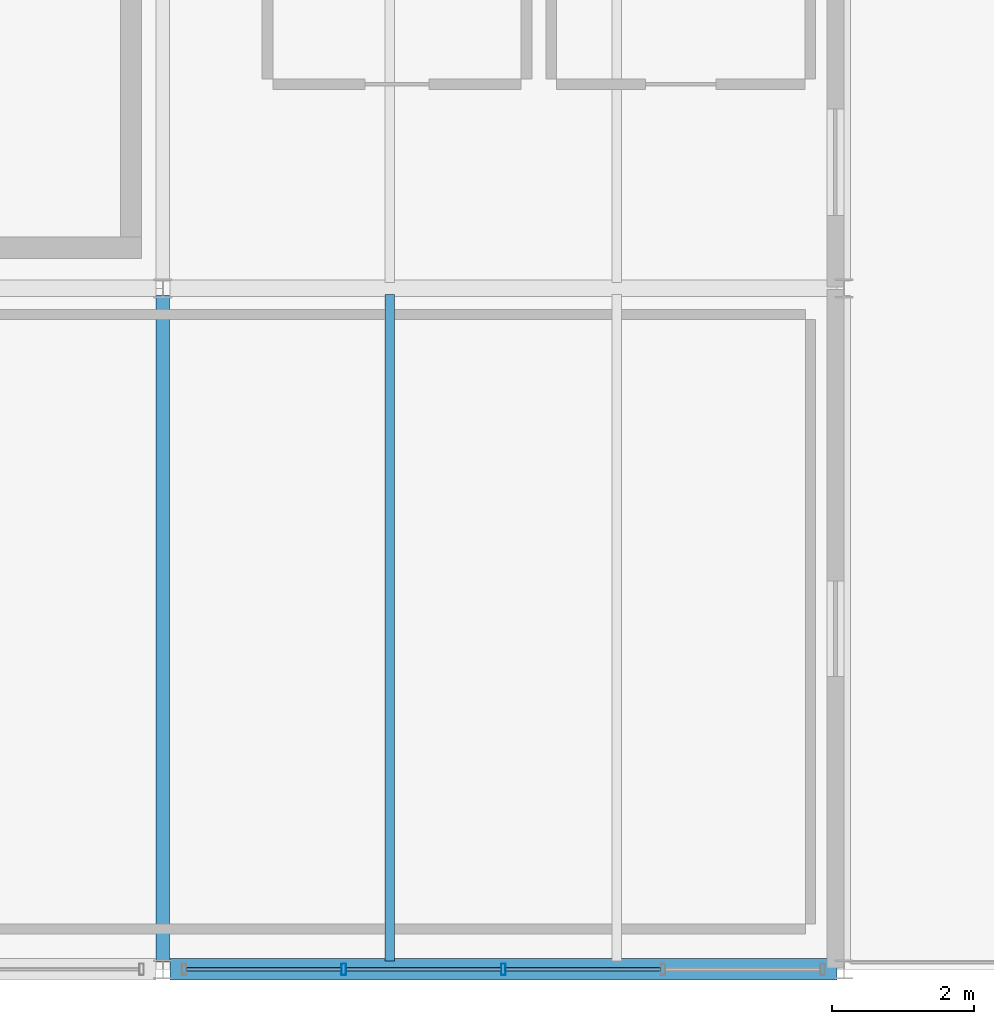
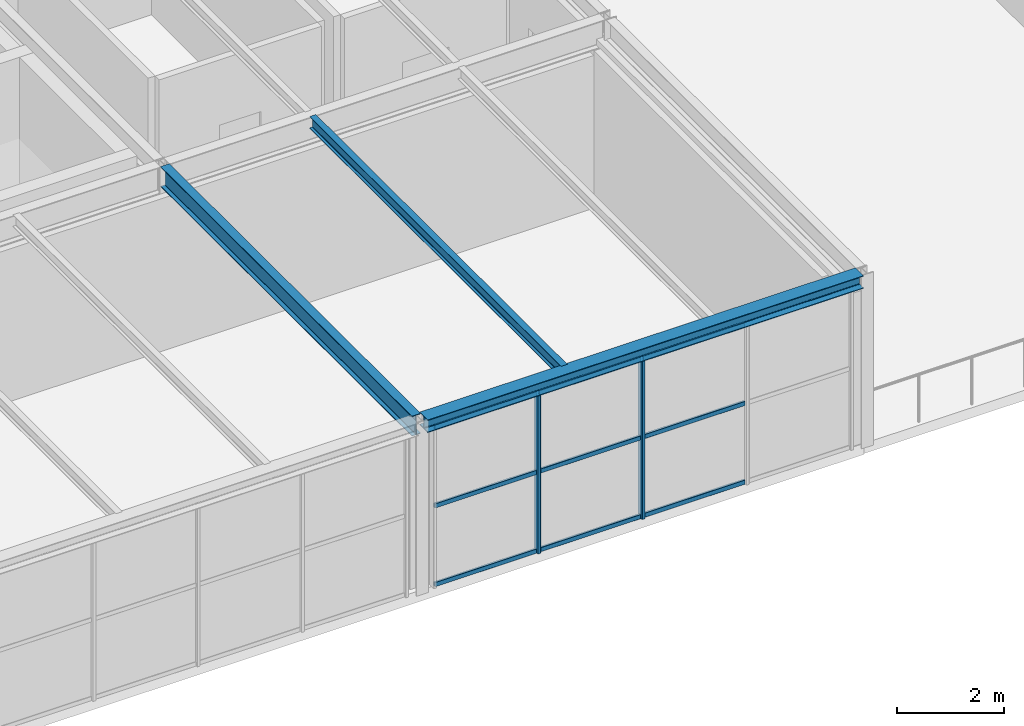
# One storey, part 23 of 39: 11 members, 3 beams, 1 element without a shape of its own.
"""IFC4 building model written with IfcOpenShell, lengths in metres."""

import ifcopenshell
import ifcopenshell.guid

model = None  # the IFC model being written
_history = None  # IfcOwnerHistory: only IFC2X3 demands one
_inside = {}  # id of a spatial element -> (the spatial element, [elements in it])
_under = {}  # id of a project, library or spatial element -> (it, [spatial elements below it])
_declared = {}  # id of a project -> (the project, [libraries it declares])
_typed = {}  # id of a type object -> (the type object, [elements of that type])
_made_of = {}  # id of a material, layer set ... -> (it, [elements and type objects made of it])


def new_model(schema):
    """Start an empty IFC model of exactly this schema.

    Asked for "IFC4X3", IfcOpenShell would pick the latest addendum, in which some entities
    have other attributes; the version numbers below select the first issue.
    IFC2X3 requires an IfcOwnerHistory on every rooted entity: one is made here for all.
    """
    global model, _history
    if schema == "IFC4X3":
        model = ifcopenshell.file(schema_version=(4, 3, 0, 0))
    else:
        model = ifcopenshell.file(schema=schema)
    _inside.clear()
    _under.clear()
    _declared.clear()
    _typed.clear()
    _made_of.clear()
    _history = None
    if model.schema == "IFC2X3":
        org = make("IfcOrganization", Name="unknown")
        user = make(
            "IfcPersonAndOrganization",
            ThePerson=make("IfcPerson", FamilyName="unknown"),
            TheOrganization=org,
        )
        app = make(
            "IfcApplication",
            ApplicationDeveloper=org,
            Version="unknown",
            ApplicationFullName="unknown",
            ApplicationIdentifier="unknown",
        )
        _history = make(
            "IfcOwnerHistory",
            OwningUser=user,
            OwningApplication=app,
            ChangeAction="ADDED",
            CreationDate=0,
        )
    return model


def make(cls, **values):
    """One entity of the class cls with the attributes given. An attribute that is None is left unset."""
    return model.create_entity(
        cls, **{name: value for name, value in values.items() if value is not None}
    )


def rooted(cls, **values):
    """An entity with a GlobalId (a new one), such as an element, a storey or a relation."""
    return make(cls, GlobalId=ifcopenshell.guid.new(), OwnerHistory=_history, **values)


def si_unit(unit_type, name, prefix=None):
    """IfcSIUnit, for example si_unit("LENGTHUNIT", "METRE", prefix="MILLI")."""
    return make("IfcSIUnit", UnitType=unit_type, Prefix=prefix, Name=name)


def assignment(units):
    """IfcUnitAssignment: the units of a project."""
    return None if units is None else make("IfcUnitAssignment", Units=units)


def point(xyz):
    """IfcCartesianPoint."""
    return None if xyz is None else make("IfcCartesianPoint", Coordinates=xyz)


def direction(xyz):
    """IfcDirection."""
    return None if xyz is None else make("IfcDirection", DirectionRatios=xyz)


def frame(location, z_axis=None, x_axis=None):
    """IfcAxis2Placement3D, a coordinate frame: its origin and axes. An axis left out is left unset."""
    return make(
        "IfcAxis2Placement3D",
        Location=point(location),
        Axis=direction(z_axis),
        RefDirection=direction(x_axis),
    )


def frame_2d(location, x_axis=None):
    """IfcAxis2Placement2D, a coordinate frame in the plane: its origin and x axis."""
    return make(
        "IfcAxis2Placement2D", Location=point(location), RefDirection=direction(x_axis)
    )


def origin():
    """The frame at (0, 0, 0) with its axes left unset."""
    return frame((0.0, 0.0, 0.0))


def origin_2d():
    """The frame at (0, 0) in the plane with its x axis left unset."""
    return frame_2d((0.0, 0.0))


def place(relative_to, where):
    """IfcLocalPlacement: puts the frame where relative to a parent placement (None: the world)."""
    return make(
        "IfcLocalPlacement", PlacementRelTo=relative_to, RelativePlacement=where
    )


def context(
    kind, dimensions, precision=None, world=None, true_north=None, identifier=None
):
    """IfcGeometricRepresentationContext, for example the 3D "Model" context."""
    return make(
        "IfcGeometricRepresentationContext",
        ContextIdentifier=identifier,
        ContextType=kind,
        CoordinateSpaceDimension=dimensions,
        Precision=precision,
        WorldCoordinateSystem=world,
        TrueNorth=true_north,
    )


def subcontext(parent, identifier, kind, view, scale=None):
    """IfcGeometricRepresentationSubContext, for example "Body" below "Model"."""
    return make(
        "IfcGeometricRepresentationSubContext",
        ContextIdentifier=identifier,
        ContextType=kind,
        ParentContext=parent,
        TargetScale=scale,
        TargetView=view,
    )


def project(units=None, contexts=None):
    """IfcProject with its units and contexts."""
    return rooted(
        "IfcProject",
        Name="project",
        RepresentationContexts=contexts,
        UnitsInContext=assignment(units),
    )


def spatial(cls, under=None, at=None, **own):
    """A site, building, storey or space (cls), placed at a placement, below another one or the project."""
    s = rooted(cls, ObjectPlacement=at, **own)
    if under is not None:
        _under.setdefault(under.id(), (under, []))[1].append(s)
    return s


def profile(cls, at=None, kind="AREA", **sizes):
    """A parametric profile (cls). Its sizes go by their IFC names, for example OverallWidth=200.0."""
    return make(cls, ProfileType=kind, Position=at, **sizes)


def hollow_rectangle(**sizes):
    """IfcRectangleHollowProfileDef."""
    return profile("IfcRectangleHollowProfileDef", **sizes)


def i_section(**sizes):
    """IfcIShapeProfileDef."""
    return profile("IfcIShapeProfileDef", **sizes)


def extrude(swept, where, along, depth):
    """IfcExtrudedAreaSolid: the profile swept, set in the frame where, extruded along a direction by depth."""
    return make(
        "IfcExtrudedAreaSolid",
        SweptArea=swept,
        Position=where,
        ExtrudedDirection=direction(along),
        Depth=depth,
    )


def shape(context_of_items, identifier, shape_type, items):
    """IfcShapeRepresentation: the items that make up one representation, for example the "Body"."""
    return make(
        "IfcShapeRepresentation",
        ContextOfItems=context_of_items,
        RepresentationIdentifier=identifier,
        RepresentationType=shape_type,
        Items=items,
    )


def material(Name=None, Category=None):
    """IfcMaterial."""
    return make("IfcMaterial", Name=Name, Category=Category)


def material_profile(
    of_material, cross_section, Name=None, Category=None, Priority=None
):
    """IfcMaterialProfile: a cross section and its material."""
    return make(
        "IfcMaterialProfile",
        Name=Name,
        Material=of_material,
        Profile=cross_section,
        Priority=Priority,
        Category=Category,
    )


def profile_set(profiles, Name=None, composite=None):
    """IfcMaterialProfileSet."""
    return make(
        "IfcMaterialProfileSet",
        Name=Name,
        MaterialProfiles=profiles,
        CompositeProfile=composite,
    )


def made_of(thing, what):
    """Note that an element or type object is made of a material, layer set ...; save() writes the relation."""
    if what is not None:
        _made_of.setdefault(what.id(), (what, []))[1].append(thing)
    return thing


def type_object(cls, material=None, **own):
    """A type object (cls), such as IfcWallType, which elements share."""
    return made_of(rooted(cls, **own), material)


def element(
    cls,
    number,
    at=None,
    inside=None,
    cuts=None,
    type_object=None,
    material=None,
    context=None,
    identifier="Body",
    shape_type=None,
    held_by="IfcProductDefinitionShape",
    body=None,
    shapes=None,
    **own,
):
    """One element of the class cls, such as IfcWall. Its Tag is "e" and its number.

    at: its placement. inside: the storey or other place that contains it. cuts: it is an
    opening in that element (IfcRelVoidsElement). A single representation is given by context,
    identifier, shape_type and body (its items); several are given by shapes. held_by: the class
    of the entity that holds the representations. save() writes the other relations.
    """
    e = rooted(cls, Tag="e%d" % number, ObjectPlacement=at, **own)
    if body is not None:
        shapes = [shape(context, identifier, shape_type, body)]
    if shapes is not None:
        e.Representation = make(held_by, Representations=shapes)
    if inside is not None:
        _inside.setdefault(inside.id(), (inside, []))[1].append(e)
    if cuts is not None:
        rooted(
            "IfcRelVoidsElement", RelatingBuildingElement=cuts, RelatedOpeningElement=e
        )
    if type_object is not None:
        _typed.setdefault(type_object.id(), (type_object, []))[1].append(e)
    return made_of(e, material)


def aggregate(whole, parts):
    """IfcRelAggregates: a whole, such as a stair, and the parts it consists of."""
    return rooted("IfcRelAggregates", RelatingObject=whole, RelatedObjects=parts)


def save(model, path):
    """Write the relations noted so far, then the file.

    IfcRelAggregates (storeys below a building ...), IfcRelContainedInSpatialStructure (elements
    in a storey), IfcRelDefinesByType, IfcRelAssociatesMaterial and IfcRelDeclares: one each for
    every whole, place, type object, material and project.
    """
    for whole, parts in _under.values():
        aggregate(whole, parts)
    for where, things in _inside.values():
        rooted(
            "IfcRelContainedInSpatialStructure",
            RelatedElements=things,
            RelatingStructure=where,
        )
    for kind, things in _typed.values():
        rooted("IfcRelDefinesByType", RelatedObjects=things, RelatingType=kind)
    for what, things in _made_of.values():
        rooted("IfcRelAssociatesMaterial", RelatedObjects=things, RelatingMaterial=what)
    for by, libraries in _declared.values():
        rooted("IfcRelDeclares", RelatingContext=by, RelatedDefinitions=libraries)
    model.write(path)


model = new_model("IFC4")

# Units and contexts
model_context = context("Model", 3, precision=1e-05, world=origin(), true_north=direction((0.0, 1.0)))
body_context = subcontext(model_context, "Body", "Model", "MODEL_VIEW")
ifc_project = project(units=[si_unit("LENGTHUNIT", "METRE"), si_unit("AREAUNIT", "SQUARE_METRE"), si_unit("VOLUMEUNIT", "CUBIC_METRE"), si_unit("PLANEANGLEUNIT", "RADIAN"), si_unit("MASSUNIT", "GRAM", prefix="KILO")], contexts=[model_context])

# Site, building, storey
site_placement = place(None, origin())
site = spatial("IfcSite", under=ifc_project, at=site_placement, CompositionType="ELEMENT")
building_placement = place(site_placement, origin())
building = spatial("IfcBuilding", under=site, at=building_placement, Name="Coralgate Yard Interchange", CompositionType="ELEMENT")
storey_placement = place(building_placement, frame((0.0, 0.0, 18.89990234375)))
storey = spatial("IfcBuildingStorey", under=building, at=storey_placement, Name="L04", CompositionType="ELEMENT", Elevation=18.89990234375)

# Beams
ifc_material_1 = material(Name="Structural steel S355J2", Category="steel")
ifc_material_profile_1 = material_profile(ifc_material_1, i_section(OverallWidth=0.1904296875, OverallDepth=0.45703125, WebThickness=0.009033203125, FlangeThickness=0.014404296875, FilletRadius=0.01025390625, at=origin_2d()), Name="UB 457x191x74")
ifc_profile_set_1 = profile_set([ifc_material_profile_1], Name="Structural steel S355J2")
beam_type_1 = type_object("IfcBeamType", Name="BM-SB-2", PredefinedType="BEAM", material=ifc_profile_set_1)
beam_1_placement = place(storey_placement, frame((57.60009765625, 0.103271484375, 3.7216796875), z_axis=(0.0, 1.0, 0.0), x_axis=(-1.0, 0.0, 0.0)))
element("IfcBeam", 1, at=beam_1_placement, inside=storey, type_object=beam_type_1, Name="L04 primary grid girder X6 Y0-1", PredefinedType="BEAM", context=body_context, shape_type="SweptSolid", body=[
    extrude(i_section(OverallWidth=0.1904296875, OverallDepth=0.45703125, WebThickness=0.009033203125, FlangeThickness=0.014404296875, FilletRadius=0.01025390625, at=origin_2d()), origin(), (0.0, 0.0, 1.0), 9.393310546875),
])
ifc_material_profile_2 = material_profile(ifc_material_1, i_section(OverallWidth=0.135009765625, OverallDepth=0.27001953125, WebThickness=0.006591796875, FlangeThickness=0.01025390625, FilletRadius=0.014892578125, at=origin_2d()), Name="IPE 270")
ifc_profile_set_2 = profile_set([ifc_material_profile_2], Name="Structural steel S355J2")
beam_type_2 = type_object("IfcBeamType", Name="BM-SJ-3", PredefinedType="JOIST", material=ifc_profile_set_2)
beam_2_placement = place(storey_placement, frame((60.800048828125, 0.1201171875, 3.815185546875), z_axis=(0.0, 1.0, 0.0), x_axis=(-1.0, 0.0, 0.0)))
element("IfcBeam", 2, at=beam_2_placement, inside=storey, type_object=beam_type_2, Name="L04 composite floor joist 6-0-1", PredefinedType="JOIST", context=body_context, shape_type="SweptSolid", body=[
    extrude(i_section(OverallWidth=0.135009765625, OverallDepth=0.27001953125, WebThickness=0.006591796875, FlangeThickness=0.01025390625, FilletRadius=0.014892578125, at=origin_2d()), origin(), (0.0, 0.0, 1.0), 9.395751953125),
])
ifc_material_profile_3 = material_profile(ifc_material_1, i_section(OverallWidth=0.300048828125, OverallDepth=0.2900390625, WebThickness=0.008544921875, FlangeThickness=0.013916015625, FilletRadius=0.027099609375, at=origin_2d()), Name="HEA 300")
ifc_profile_set_3 = profile_set([ifc_material_profile_3], Name="Structural steel S355J2")
beam_type_3 = type_object("IfcBeamType", Name="BM-SP-2", PredefinedType="SPANDREL", material=ifc_profile_set_3)
beam_3_placement = place(storey_placement, frame((57.699462890625, 0.0, 3.80517578125), z_axis=(1.0, 0.0, 0.0), x_axis=(0.0, 1.0, 0.0)))
element("IfcBeam", 3, at=beam_3_placement, inside=storey, type_object=beam_type_3, Name="L04 primary grid beam Y0 X6-7", PredefinedType="SPANDREL", context=body_context, shape_type="SweptSolid", body=[
    extrude(i_section(OverallWidth=0.300048828125, OverallDepth=0.2900390625, WebThickness=0.008544921875, FlangeThickness=0.013916015625, FilletRadius=0.027099609375, at=origin_2d()), origin(), (0.0, 0.0, 1.0), 9.401123046875),
])

# Curtain wall, members
ifc_material_2 = material(Name="Anodised coastal aluminium and solar-control low-E glass", Category="aluminium")
curtain_wall_type = type_object("IfcCurtainWallType", Name="CW-CW-L04-A", PredefinedType="NOTDEFINED", material=ifc_material_2)
curtain_wall_placement = place(storey_placement, origin())
curtain_wall = element("IfcCurtainWall", 4, at=curtain_wall_placement, inside=storey, type_object=curtain_wall_type, Name="L04 unitised curtain wall CW-L04-S-06-00", PredefinedType="NOTDEFINED")
ifc_material_3 = material(Name="Anodised coastal aluminium 6063-T6", Category="aluminium")
ifc_material_profile_4 = material_profile(ifc_material_3, hollow_rectangle(XDim=0.06494140625, YDim=0.159912109375, WallThickness=0.00390625, InnerFilletRadius=0.00390625, OuterFilletRadius=0.008056640625, at=origin_2d()), Name="ALU 65x160x4")
ifc_profile_set_4 = profile_set([ifc_material_profile_4], Name="Anodised coastal aluminium 6063-T6")
member_type_1 = type_object("IfcMemberType", Name="MB-MUL-160", PredefinedType="MULLION", material=ifc_profile_set_4)
member_1_placement = place(storey_placement, frame((62.39990234375, 0.0, 0.0), z_axis=(0.0, 0.0, 1.0), x_axis=(1.0, 0.0, 0.0)))
member_1 = element("IfcMember", 5, at=member_1_placement, type_object=member_type_1, Name="CW-L04-S-06-00 vertical mullion 3", PredefinedType="MULLION", context=body_context, shape_type="SweptSolid", body=[
    extrude(hollow_rectangle(XDim=0.06494140625, YDim=0.159912109375, WallThickness=0.00390625, InnerFilletRadius=0.00390625, OuterFilletRadius=0.008056640625, at=origin_2d()), origin(), (0.0, 0.0, 1.0), 3.66015625),
])
member_2_placement = place(storey_placement, frame((60.14990234375, 0.0, 0.0), z_axis=(0.0, 0.0, 1.0), x_axis=(1.0, 0.0, 0.0)))
member_2 = element("IfcMember", 6, at=member_2_placement, type_object=member_type_1, Name="CW-L04-S-06-00 vertical mullion 4", PredefinedType="MULLION", context=body_context, shape_type="SweptSolid", body=[
    extrude(hollow_rectangle(XDim=0.06494140625, YDim=0.159912109375, WallThickness=0.00390625, InnerFilletRadius=0.00390625, OuterFilletRadius=0.008056640625, at=origin_2d()), origin(), (0.0, 0.0, 1.0), 3.66015625),
])
ifc_material_profile_5 = material_profile(ifc_material_3, hollow_rectangle(XDim=0.050048828125, YDim=0.10009765625, WallThickness=0.0029296875, InnerFilletRadius=0.0029296875, OuterFilletRadius=0.006103515625, at=origin_2d()), Name="ALU 50x100x3")
ifc_profile_set_5 = profile_set([ifc_material_profile_5], Name="Anodised coastal aluminium 6063-T6")
member_type_2 = type_object("IfcMemberType", Name="MB-TRN-100", PredefinedType="USERDEFINED", material=ifc_profile_set_5)
member_3_placement = place(storey_placement, frame((64.6201171875, 0.0, 0.03515625), z_axis=(-1.0, 0.0, 0.0), x_axis=(0.0, -1.0, 0.0)))
member_3 = element("IfcMember", 7, at=member_3_placement, type_object=member_type_2, Name="CW-L04-S-06-00 horizontal transom 2-1", ObjectType="TRANSOM", PredefinedType="USERDEFINED", context=body_context, shape_type="SweptSolid", body=[
    extrude(hollow_rectangle(XDim=0.050048828125, YDim=0.10009765625, WallThickness=0.0029296875, InnerFilletRadius=0.0029296875, OuterFilletRadius=0.006103515625, at=origin_2d()), origin(), (0.0, 0.0, 1.0), 2.190185546875),
])
member_4_placement = place(storey_placement, frame((64.6201171875, 0.0, 1.830078125), z_axis=(-1.0, 0.0, 0.0), x_axis=(0.0, -1.0, 0.0)))
member_4 = element("IfcMember", 8, at=member_4_placement, type_object=member_type_2, Name="CW-L04-S-06-00 horizontal transom 2-2", ObjectType="TRANSOM", PredefinedType="USERDEFINED", context=body_context, shape_type="SweptSolid", body=[
    extrude(hollow_rectangle(XDim=0.050048828125, YDim=0.10009765625, WallThickness=0.0029296875, InnerFilletRadius=0.0029296875, OuterFilletRadius=0.006103515625, at=origin_2d()), origin(), (0.0, 0.0, 1.0), 2.190185546875),
])
member_5_placement = place(storey_placement, frame((64.6201171875, 0.0, 3.625), z_axis=(-1.0, 0.0, 0.0), x_axis=(0.0, -1.0, 0.0)))
member_5 = element("IfcMember", 9, at=member_5_placement, type_object=member_type_2, Name="CW-L04-S-06-00 horizontal transom 2-3", ObjectType="TRANSOM", PredefinedType="USERDEFINED", context=body_context, shape_type="SweptSolid", body=[
    extrude(hollow_rectangle(XDim=0.050048828125, YDim=0.10009765625, WallThickness=0.0029296875, InnerFilletRadius=0.0029296875, OuterFilletRadius=0.006103515625, at=origin_2d()), origin(), (0.0, 0.0, 1.0), 2.190185546875),
])
member_6_placement = place(storey_placement, frame((62.3701171875, 0.0, 0.03515625), z_axis=(-1.0, 0.0, 0.0), x_axis=(0.0, -1.0, 0.0)))
member_6 = element("IfcMember", 10, at=member_6_placement, type_object=member_type_2, Name="CW-L04-S-06-00 horizontal transom 3-1", ObjectType="TRANSOM", PredefinedType="USERDEFINED", context=body_context, shape_type="SweptSolid", body=[
    extrude(hollow_rectangle(XDim=0.050048828125, YDim=0.10009765625, WallThickness=0.0029296875, InnerFilletRadius=0.0029296875, OuterFilletRadius=0.006103515625, at=origin_2d()), origin(), (0.0, 0.0, 1.0), 2.190185546875),
])
member_7_placement = place(storey_placement, frame((62.3701171875, 0.0, 1.830078125), z_axis=(-1.0, 0.0, 0.0), x_axis=(0.0, -1.0, 0.0)))
member_7 = element("IfcMember", 11, at=member_7_placement, type_object=member_type_2, Name="CW-L04-S-06-00 horizontal transom 3-2", ObjectType="TRANSOM", PredefinedType="USERDEFINED", context=body_context, shape_type="SweptSolid", body=[
    extrude(hollow_rectangle(XDim=0.050048828125, YDim=0.10009765625, WallThickness=0.0029296875, InnerFilletRadius=0.0029296875, OuterFilletRadius=0.006103515625, at=origin_2d()), origin(), (0.0, 0.0, 1.0), 2.190185546875),
])
member_8_placement = place(storey_placement, frame((62.3701171875, 0.0, 3.625), z_axis=(-1.0, 0.0, 0.0), x_axis=(0.0, -1.0, 0.0)))
member_8 = element("IfcMember", 12, at=member_8_placement, type_object=member_type_2, Name="CW-L04-S-06-00 horizontal transom 3-3", ObjectType="TRANSOM", PredefinedType="USERDEFINED", context=body_context, shape_type="SweptSolid", body=[
    extrude(hollow_rectangle(XDim=0.050048828125, YDim=0.10009765625, WallThickness=0.0029296875, InnerFilletRadius=0.0029296875, OuterFilletRadius=0.006103515625, at=origin_2d()), origin(), (0.0, 0.0, 1.0), 2.190185546875),
])
member_9_placement = place(storey_placement, frame((60.1201171875, 0.0, 0.03515625), z_axis=(-1.0, 0.0, 0.0), x_axis=(0.0, -1.0, 0.0)))
member_9 = element("IfcMember", 13, at=member_9_placement, type_object=member_type_2, Name="CW-L04-S-06-00 horizontal transom 4-1", ObjectType="TRANSOM", PredefinedType="USERDEFINED", context=body_context, shape_type="SweptSolid", body=[
    extrude(hollow_rectangle(XDim=0.050048828125, YDim=0.10009765625, WallThickness=0.0029296875, InnerFilletRadius=0.0029296875, OuterFilletRadius=0.006103515625, at=origin_2d()), origin(), (0.0, 0.0, 1.0), 2.190185546875),
])
member_10_placement = place(storey_placement, frame((60.1201171875, 0.0, 1.830078125), z_axis=(-1.0, 0.0, 0.0), x_axis=(0.0, -1.0, 0.0)))
member_10 = element("IfcMember", 14, at=member_10_placement, type_object=member_type_2, Name="CW-L04-S-06-00 horizontal transom 4-2", ObjectType="TRANSOM", PredefinedType="USERDEFINED", context=body_context, shape_type="SweptSolid", body=[
    extrude(hollow_rectangle(XDim=0.050048828125, YDim=0.10009765625, WallThickness=0.0029296875, InnerFilletRadius=0.0029296875, OuterFilletRadius=0.006103515625, at=origin_2d()), origin(), (0.0, 0.0, 1.0), 2.190185546875),
])
member_11_placement = place(storey_placement, frame((60.1201171875, 0.0, 3.625), z_axis=(-1.0, 0.0, 0.0), x_axis=(0.0, -1.0, 0.0)))
member_11 = element("IfcMember", 15, at=member_11_placement, type_object=member_type_2, Name="CW-L04-S-06-00 horizontal transom 4-3", ObjectType="TRANSOM", PredefinedType="USERDEFINED", context=body_context, shape_type="SweptSolid", body=[
    extrude(hollow_rectangle(XDim=0.050048828125, YDim=0.10009765625, WallThickness=0.0029296875, InnerFilletRadius=0.0029296875, OuterFilletRadius=0.006103515625, at=origin_2d()), origin(), (0.0, 0.0, 1.0), 2.190185546875),
])
aggregate(curtain_wall, [member_1, member_2, member_3, member_4, member_5, member_6, member_7, member_8, member_9, member_10, member_11])

save(model, "model.ifc")
